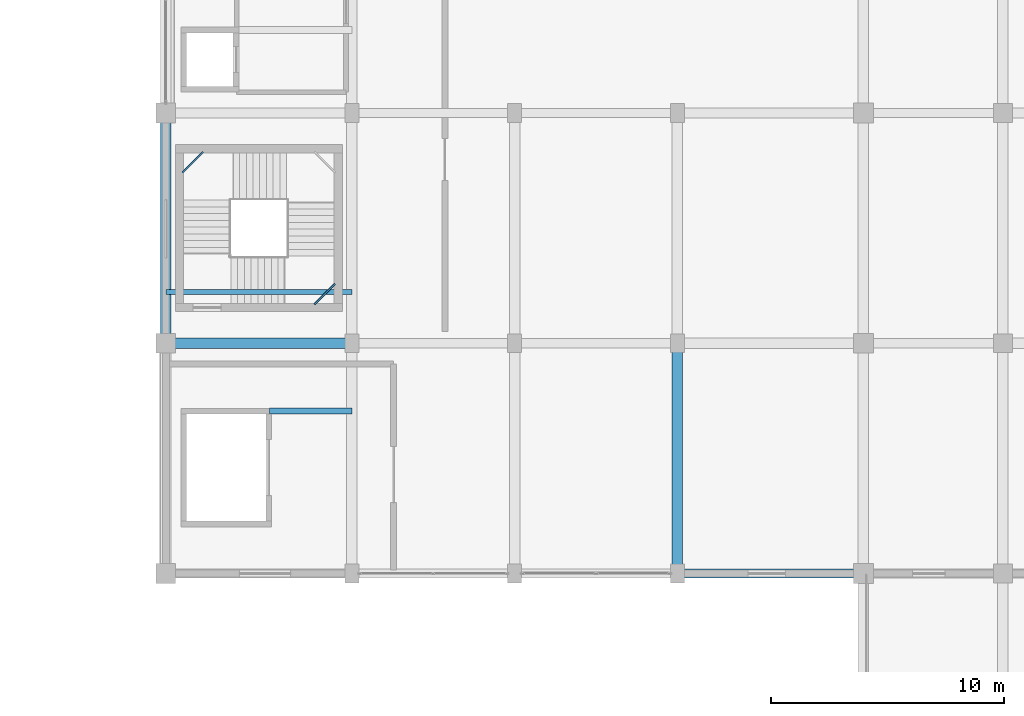
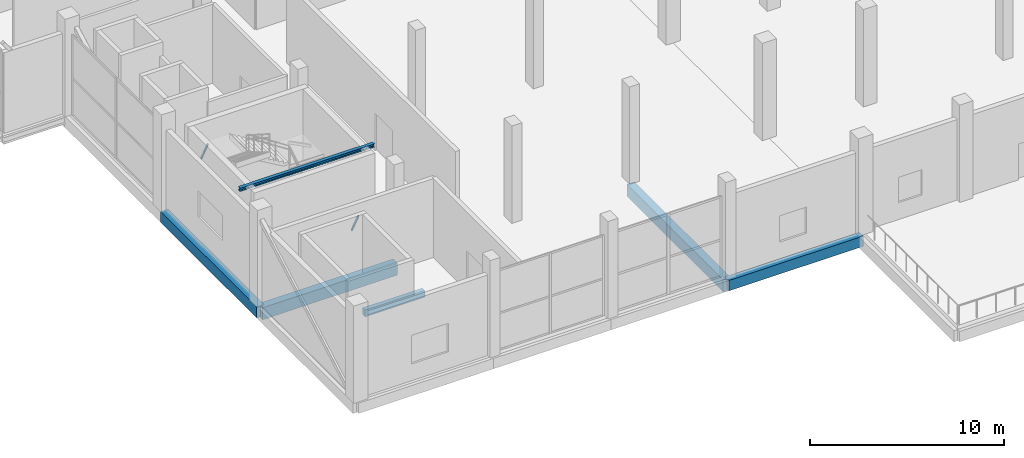
# One storey, part 4 of 58: 7 beams, 1 member.
"""IFC4 building model written with IfcOpenShell, lengths in metres."""

from ifc_helpers import new_model, si_unit, direction, frame, origin, origin_2d, place, context, subcontext, project, spatial, rectangle, hollow_rectangle, i_section, extrude, material, material_profile, profile_set, type_object, element, save


model = new_model("IFC4")

# Units and contexts
model_context = context("Model", 3, precision=1e-05, world=origin(), true_north=direction((0.0, 1.0)))
body_context = subcontext(model_context, "Body", "Model", "MODEL_VIEW")
ifc_project = project(units=[si_unit("LENGTHUNIT", "METRE"), si_unit("AREAUNIT", "SQUARE_METRE"), si_unit("VOLUMEUNIT", "CUBIC_METRE"), si_unit("PLANEANGLEUNIT", "RADIAN"), si_unit("MASSUNIT", "GRAM", prefix="KILO")], contexts=[model_context])

# Site, building, storey
site_placement = place(None, origin())
site = spatial("IfcSite", under=ifc_project, at=site_placement, CompositionType="ELEMENT")
building_placement = place(site_placement, origin())
building = spatial("IfcBuilding", under=site, at=building_placement, Name="Sillaruma Civic Art Gallery", CompositionType="ELEMENT")
storey_placement = place(building_placement, frame((0.0, 0.0, 22.43994140625)))
storey = spatial("IfcBuildingStorey", under=building, at=storey_placement, Name="L04", CompositionType="ELEMENT", Elevation=22.43994140625)

# Beams
ifc_material_1 = material(Name="Concrete H40 (40 MPa)", Category="concrete")
ifc_material_profile_1 = material_profile(ifc_material_1, rectangle(XDim=0.449951171875, YDim=0.75, at=origin_2d()), Name="RCB450x750")
ifc_profile_set_1 = profile_set([ifc_material_profile_1], Name="Concrete H40 (40 MPa)")
beam_type_1 = type_object("IfcBeamType", Name="BM-BEAM-RCB450x750", PredefinedType="BEAM", material=ifc_profile_set_1)
beam_1_placement = place(storey_placement, frame((62.0, 29.699951171875, -0.635009765625), z_axis=(1.0, 0.0, 0.0), x_axis=(0.0, 1.0, 0.0)))
element("IfcBeam", 1, at=beam_1_placement, inside=storey, type_object=beam_type_1, Name="Beam BM-03 (L03:4:F-G)", PredefinedType="BEAM", context=body_context, shape_type="SweptSolid", body=[
    extrude(rectangle(XDim=0.449951171875, YDim=0.75, at=origin_2d()), origin(), (0.0, 0.0, 1.0), 8.0),
])
beam_2_placement = place(storey_placement, frame((84.0, 19.800048828125, -0.635009765625), z_axis=(0.0, 1.0, 0.0), x_axis=(-1.0, 0.0, 0.0)))
element("IfcBeam", 2, at=beam_2_placement, inside=storey, type_object=beam_type_1, Name="Beam BM-03 (L03:J:3-4)", PredefinedType="BEAM", context=body_context, shape_type="SweptSolid", body=[
    extrude(rectangle(XDim=0.449951171875, YDim=0.75, at=origin_2d()), origin(), (0.0, 0.0, 1.0), 9.89990234375),
])
ifc_material_2 = material(Name="Concrete H35 (35 MPa)", Category="concrete")
ifc_material_profile_2 = material_profile(ifc_material_2, rectangle(XDim=0.260009765625, YDim=0.419921875, at=origin_2d()), Name="RCB260x420")
ifc_profile_set_2 = profile_set([ifc_material_profile_2], Name="Concrete H35 (35 MPa)")
beam_type_2 = type_object("IfcBeamType", Name="BM-LINTEL-RCB260x420", PredefinedType="LINTEL", material=ifc_profile_set_2)
beam_3_placement = place(storey_placement, frame((66.449951171875, 26.780029296875, -0.469970703125), z_axis=(1.0, 0.0, 0.0), x_axis=(0.0, 1.0, 0.0)))
element("IfcBeam", 3, at=beam_3_placement, inside=storey, type_object=beam_type_2, Name="Core Portal Coupling Lintel BL-02 (L03:GL1)", PredefinedType="LINTEL", context=body_context, shape_type="SweptSolid", body=[
    extrude(rectangle(XDim=0.260009765625, YDim=0.419921875, at=origin_2d()), origin(), (0.0, 0.0, 1.0), 3.550048828125),
])
ifc_material_3 = material(Name="Structural Steel ASTM A500 Gr.C", Category="steel")
ifc_material_profile_3 = material_profile(ifc_material_3, hollow_rectangle(XDim=0.080078125, YDim=0.159912109375, WallThickness=0.008056640625, InnerFilletRadius=0.008056640625, OuterFilletRadius=0.01611328125, at=origin_2d()), Name="HSS160x80x8")
ifc_profile_set_3 = profile_set([ifc_material_profile_3], Name="Structural Steel ASTM A500 Gr.C")
beam_type_3 = type_object("IfcBeamType", Name="BM-LND-HSS160", PredefinedType="BEAM", material=ifc_profile_set_3)
for number, where, z_axis, x_axis, name in (
    (4, (68.389892578125, 31.3701171875, 1.25), (0.707203758046, 0.707009791025, 0.0), (-0.707009791025, 0.707203758046, 0.0), "Stair Corner Landing Trimmer Beam (ST-03-L04-1)"),
    (5, (62.719970703125, 37.0400390625, 4.31005859375), (0.707203758046, 0.707009791025, 0.0), (-0.707009791025, 0.707203758046, 0.0), "Stair Corner Landing Trimmer Beam (ST-03-L04-3)"),
):
    element("IfcBeam", number, at=place(storey_placement, frame(where, z_axis=z_axis, x_axis=x_axis)), inside=storey, type_object=beam_type_3, Name=name, PredefinedType="BEAM", context=body_context, shape_type="SweptSolid", body=[
        extrude(hollow_rectangle(XDim=0.080078125, YDim=0.159912109375, WallThickness=0.008056640625, InnerFilletRadius=0.008056640625, OuterFilletRadius=0.01611328125, at=origin_2d()), origin(), (0.0, 0.0, 1.0), 1.2587890625),
    ])
ifc_material_profile_4 = material_profile(ifc_material_2, rectangle(XDim=0.39990234375, YDim=0.64990234375, at=origin_2d()), Name="RCB400x650")
ifc_profile_set_4 = profile_set([ifc_material_profile_4], Name="Concrete H35 (35 MPa)")
beam_type_4 = type_object("IfcBeamType", Name="BM-SPANDREL-RCB400x650", PredefinedType="SPANDREL", material=ifc_profile_set_4)
beam_4_placement = place(storey_placement, frame((84.0, 19.800048828125, -0.5849609375), z_axis=(1.0, 0.0, 0.0), x_axis=(0.0, 1.0, 0.0)))
element("IfcBeam", 6, at=beam_4_placement, inside=storey, type_object=beam_type_4, Name="Beam BS-02 (L03:3:J-K)", PredefinedType="SPANDREL", context=body_context, shape_type="SweptSolid", body=[
    extrude(rectangle(XDim=0.39990234375, YDim=0.64990234375, at=origin_2d()), origin(), (0.0, 0.0, 1.0), 8.0),
])
ifc_material_profile_5 = material_profile(ifc_material_2, rectangle(XDim=0.449951171875, YDim=0.699951171875, at=origin_2d()), Name="RCB450x700")
ifc_profile_set_5 = profile_set([ifc_material_profile_5], Name="Concrete H35 (35 MPa)")
beam_type_5 = type_object("IfcBeamType", Name="BM-SPANDREL-RCB450x700", PredefinedType="SPANDREL", material=ifc_profile_set_5)
beam_5_placement = place(storey_placement, frame((62.0, 29.699951171875, -0.60986328125), z_axis=(0.0, 1.0, 0.0), x_axis=(-1.0, 0.0, 0.0)))
element("IfcBeam", 7, at=beam_5_placement, inside=storey, type_object=beam_type_5, Name="Beam BS-03 (L03:F:4-5)", PredefinedType="SPANDREL", context=body_context, shape_type="SweptSolid", body=[
    extrude(rectangle(XDim=0.449951171875, YDim=0.699951171875, at=origin_2d()), origin(), (0.0, 0.0, 1.0), 9.900146484375),
])

# Member
ifc_material_4 = material(Name="Structural Steel ASTM A992 Gr.50", Category="steel")
ifc_material_profile_6 = material_profile(ifc_material_4, i_section(OverallWidth=0.205078125, OverallDepth=0.2099609375, WebThickness=0.009033203125, FlangeThickness=0.01416015625, FilletRadius=0.010009765625, at=origin_2d()), Name="W200x59")
ifc_profile_set_6 = profile_set([ifc_material_profile_6], Name="Structural Steel ASTM A992 Gr.50")
member_type = type_object("IfcMemberType", Name="MEM-STRINGER-W200", PredefinedType="STRINGER", material=ifc_profile_set_6)
member_placement = place(storey_placement, frame((62.0, 31.89990234375, 5.735107421875), z_axis=(1.0, 0.0, 0.0), x_axis=(0.0, 1.0, 0.0)))
element("IfcMember", 8, at=member_placement, inside=storey, type_object=member_type, Name="Feature Stair Floor Stringer (ST-G02)", PredefinedType="STRINGER", context=body_context, shape_type="SweptSolid", body=[
    extrude(i_section(OverallWidth=0.205078125, OverallDepth=0.2099609375, WebThickness=0.009033203125, FlangeThickness=0.01416015625, FilletRadius=0.010009765625, at=origin_2d()), origin(), (0.0, 0.0, 1.0), 8.0),
])

save(model, "model.ifc")
